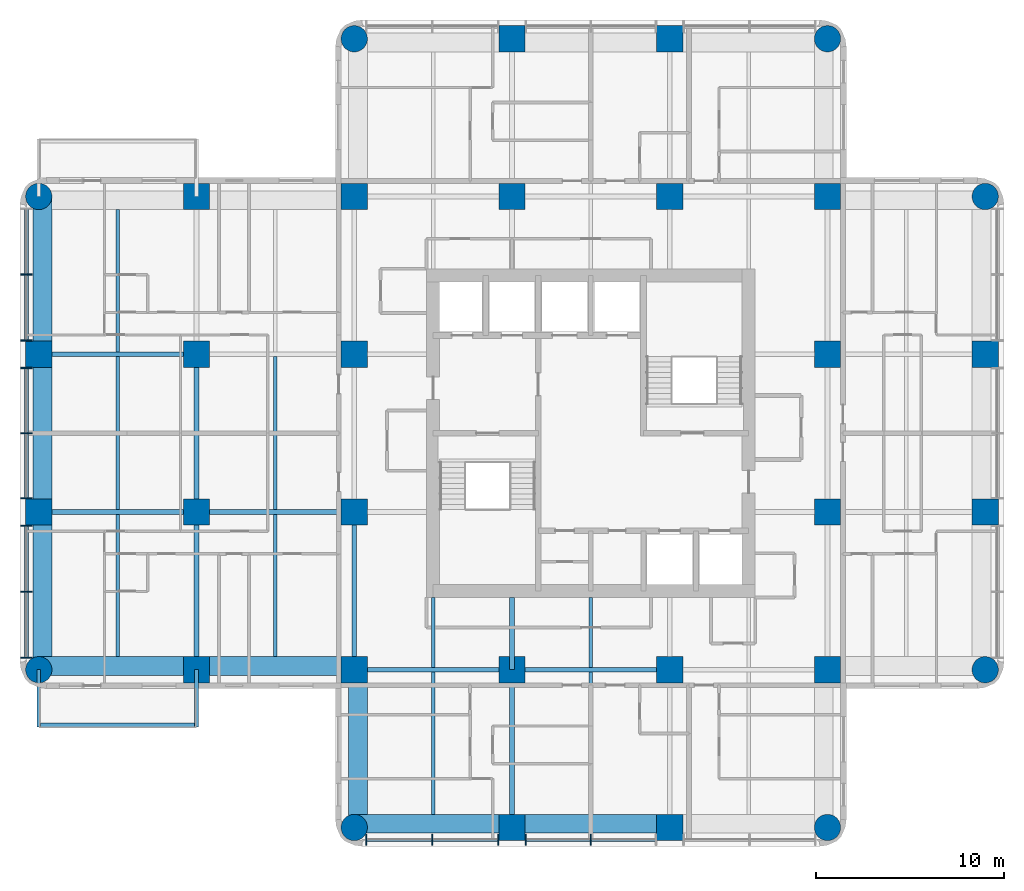
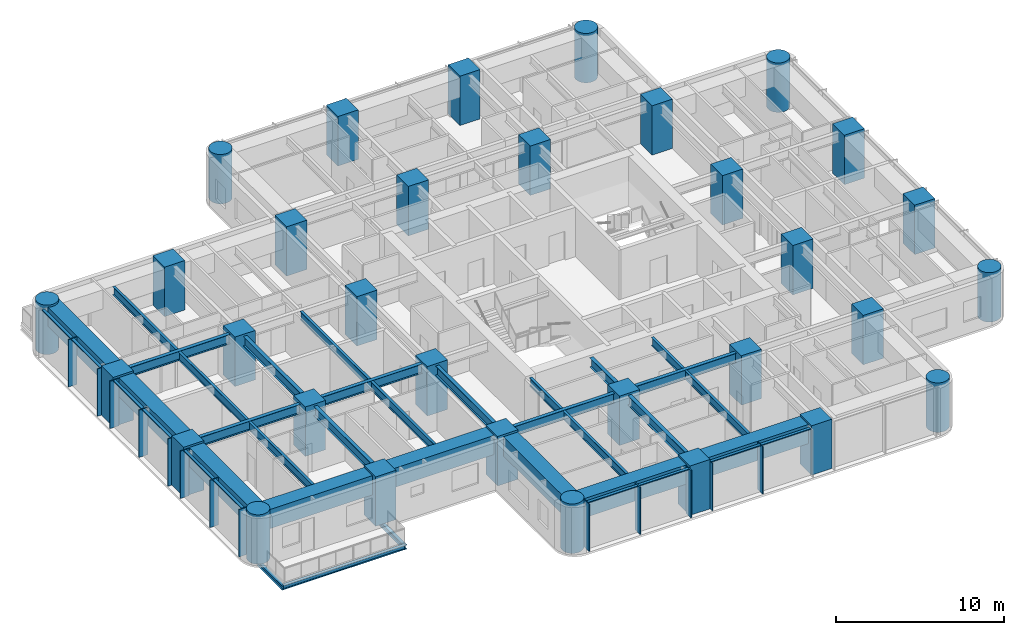
# One storey, part 1 of 11: 32 columns, 30 beams, 23 members, 2 elements without a shape of their own.
"""IFC4 building model written with IfcOpenShell, lengths in metres."""

import ifcopenshell
import ifcopenshell.guid

model = None  # the IFC model being written
_history = None  # IfcOwnerHistory: only IFC2X3 demands one
_inside = {}  # id of a spatial element -> (the spatial element, [elements in it])
_under = {}  # id of a project, library or spatial element -> (it, [spatial elements below it])
_declared = {}  # id of a project -> (the project, [libraries it declares])
_typed = {}  # id of a type object -> (the type object, [elements of that type])
_made_of = {}  # id of a material, layer set ... -> (it, [elements and type objects made of it])


def new_model(schema):
    """Start an empty IFC model of exactly this schema.

    Asked for "IFC4X3", IfcOpenShell would pick the latest addendum, in which some entities
    have other attributes; the version numbers below select the first issue.
    IFC2X3 requires an IfcOwnerHistory on every rooted entity: one is made here for all.
    """
    global model, _history
    if schema == "IFC4X3":
        model = ifcopenshell.file(schema_version=(4, 3, 0, 0))
    else:
        model = ifcopenshell.file(schema=schema)
    _inside.clear()
    _under.clear()
    _declared.clear()
    _typed.clear()
    _made_of.clear()
    _history = None
    if model.schema == "IFC2X3":
        org = make("IfcOrganization", Name="unknown")
        user = make(
            "IfcPersonAndOrganization",
            ThePerson=make("IfcPerson", FamilyName="unknown"),
            TheOrganization=org,
        )
        app = make(
            "IfcApplication",
            ApplicationDeveloper=org,
            Version="unknown",
            ApplicationFullName="unknown",
            ApplicationIdentifier="unknown",
        )
        _history = make(
            "IfcOwnerHistory",
            OwningUser=user,
            OwningApplication=app,
            ChangeAction="ADDED",
            CreationDate=0,
        )
    return model


def make(cls, **values):
    """One entity of the class cls with the attributes given. An attribute that is None is left unset."""
    return model.create_entity(
        cls, **{name: value for name, value in values.items() if value is not None}
    )


def rooted(cls, **values):
    """An entity with a GlobalId (a new one), such as an element, a storey or a relation."""
    return make(cls, GlobalId=ifcopenshell.guid.new(), OwnerHistory=_history, **values)


def si_unit(unit_type, name, prefix=None):
    """IfcSIUnit, for example si_unit("LENGTHUNIT", "METRE", prefix="MILLI")."""
    return make("IfcSIUnit", UnitType=unit_type, Prefix=prefix, Name=name)


def assignment(units):
    """IfcUnitAssignment: the units of a project."""
    return None if units is None else make("IfcUnitAssignment", Units=units)


def point(xyz):
    """IfcCartesianPoint."""
    return None if xyz is None else make("IfcCartesianPoint", Coordinates=xyz)


def direction(xyz):
    """IfcDirection."""
    return None if xyz is None else make("IfcDirection", DirectionRatios=xyz)


def frame(location, z_axis=None, x_axis=None):
    """IfcAxis2Placement3D, a coordinate frame: its origin and axes. An axis left out is left unset."""
    return make(
        "IfcAxis2Placement3D",
        Location=point(location),
        Axis=direction(z_axis),
        RefDirection=direction(x_axis),
    )


def frame_2d(location, x_axis=None):
    """IfcAxis2Placement2D, a coordinate frame in the plane: its origin and x axis."""
    return make(
        "IfcAxis2Placement2D", Location=point(location), RefDirection=direction(x_axis)
    )


def origin():
    """The frame at (0, 0, 0) with its axes left unset."""
    return frame((0.0, 0.0, 0.0))


def origin_2d():
    """The frame at (0, 0) in the plane with its x axis left unset."""
    return frame_2d((0.0, 0.0))


def place(relative_to, where):
    """IfcLocalPlacement: puts the frame where relative to a parent placement (None: the world)."""
    return make(
        "IfcLocalPlacement", PlacementRelTo=relative_to, RelativePlacement=where
    )


def context(
    kind, dimensions, precision=None, world=None, true_north=None, identifier=None
):
    """IfcGeometricRepresentationContext, for example the 3D "Model" context."""
    return make(
        "IfcGeometricRepresentationContext",
        ContextIdentifier=identifier,
        ContextType=kind,
        CoordinateSpaceDimension=dimensions,
        Precision=precision,
        WorldCoordinateSystem=world,
        TrueNorth=true_north,
    )


def subcontext(parent, identifier, kind, view, scale=None):
    """IfcGeometricRepresentationSubContext, for example "Body" below "Model"."""
    return make(
        "IfcGeometricRepresentationSubContext",
        ContextIdentifier=identifier,
        ContextType=kind,
        ParentContext=parent,
        TargetScale=scale,
        TargetView=view,
    )


def project(units=None, contexts=None):
    """IfcProject with its units and contexts."""
    return rooted(
        "IfcProject",
        Name="project",
        RepresentationContexts=contexts,
        UnitsInContext=assignment(units),
    )


def spatial(cls, under=None, at=None, **own):
    """A site, building, storey or space (cls), placed at a placement, below another one or the project."""
    s = rooted(cls, ObjectPlacement=at, **own)
    if under is not None:
        _under.setdefault(under.id(), (under, []))[1].append(s)
    return s


def profile(cls, at=None, kind="AREA", **sizes):
    """A parametric profile (cls). Its sizes go by their IFC names, for example OverallWidth=200.0."""
    return make(cls, ProfileType=kind, Position=at, **sizes)


def rectangle(**sizes):
    """IfcRectangleProfileDef."""
    return profile("IfcRectangleProfileDef", **sizes)


def circle(**sizes):
    """IfcCircleProfileDef."""
    return profile("IfcCircleProfileDef", **sizes)


def i_section(**sizes):
    """IfcIShapeProfileDef."""
    return profile("IfcIShapeProfileDef", **sizes)


def extrude(swept, where, along, depth):
    """IfcExtrudedAreaSolid: the profile swept, set in the frame where, extruded along a direction by depth."""
    return make(
        "IfcExtrudedAreaSolid",
        SweptArea=swept,
        Position=where,
        ExtrudedDirection=direction(along),
        Depth=depth,
    )


def shape(context_of_items, identifier, shape_type, items):
    """IfcShapeRepresentation: the items that make up one representation, for example the "Body"."""
    return make(
        "IfcShapeRepresentation",
        ContextOfItems=context_of_items,
        RepresentationIdentifier=identifier,
        RepresentationType=shape_type,
        Items=items,
    )


def material(Name=None, Category=None):
    """IfcMaterial."""
    return make("IfcMaterial", Name=Name, Category=Category)


def material_profile(
    of_material, cross_section, Name=None, Category=None, Priority=None
):
    """IfcMaterialProfile: a cross section and its material."""
    return make(
        "IfcMaterialProfile",
        Name=Name,
        Material=of_material,
        Profile=cross_section,
        Priority=Priority,
        Category=Category,
    )


def profile_set(profiles, Name=None, composite=None):
    """IfcMaterialProfileSet."""
    return make(
        "IfcMaterialProfileSet",
        Name=Name,
        MaterialProfiles=profiles,
        CompositeProfile=composite,
    )


def made_of(thing, what):
    """Note that an element or type object is made of a material, layer set ...; save() writes the relation."""
    if what is not None:
        _made_of.setdefault(what.id(), (what, []))[1].append(thing)
    return thing


def type_object(cls, material=None, **own):
    """A type object (cls), such as IfcWallType, which elements share."""
    return made_of(rooted(cls, **own), material)


def element(
    cls,
    number,
    at=None,
    inside=None,
    cuts=None,
    type_object=None,
    material=None,
    context=None,
    identifier="Body",
    shape_type=None,
    held_by="IfcProductDefinitionShape",
    body=None,
    shapes=None,
    **own,
):
    """One element of the class cls, such as IfcWall. Its Tag is "e" and its number.

    at: its placement. inside: the storey or other place that contains it. cuts: it is an
    opening in that element (IfcRelVoidsElement). A single representation is given by context,
    identifier, shape_type and body (its items); several are given by shapes. held_by: the class
    of the entity that holds the representations. save() writes the other relations.
    """
    e = rooted(cls, Tag="e%d" % number, ObjectPlacement=at, **own)
    if body is not None:
        shapes = [shape(context, identifier, shape_type, body)]
    if shapes is not None:
        e.Representation = make(held_by, Representations=shapes)
    if inside is not None:
        _inside.setdefault(inside.id(), (inside, []))[1].append(e)
    if cuts is not None:
        rooted(
            "IfcRelVoidsElement", RelatingBuildingElement=cuts, RelatedOpeningElement=e
        )
    if type_object is not None:
        _typed.setdefault(type_object.id(), (type_object, []))[1].append(e)
    return made_of(e, material)


def aggregate(whole, parts):
    """IfcRelAggregates: a whole, such as a stair, and the parts it consists of."""
    return rooted("IfcRelAggregates", RelatingObject=whole, RelatedObjects=parts)


def save(model, path):
    """Write the relations noted so far, then the file.

    IfcRelAggregates (storeys below a building ...), IfcRelContainedInSpatialStructure (elements
    in a storey), IfcRelDefinesByType, IfcRelAssociatesMaterial and IfcRelDeclares: one each for
    every whole, place, type object, material and project.
    """
    for whole, parts in _under.values():
        aggregate(whole, parts)
    for where, things in _inside.values():
        rooted(
            "IfcRelContainedInSpatialStructure",
            RelatedElements=things,
            RelatingStructure=where,
        )
    for kind, things in _typed.values():
        rooted("IfcRelDefinesByType", RelatedObjects=things, RelatingType=kind)
    for what, things in _made_of.values():
        rooted("IfcRelAssociatesMaterial", RelatedObjects=things, RelatingMaterial=what)
    for by, libraries in _declared.values():
        rooted("IfcRelDeclares", RelatingContext=by, RelatedDefinitions=libraries)
    model.write(path)


model = new_model("IFC4")

# Units and contexts
model_context = context("Model", 3, precision=1e-05, world=origin(), true_north=direction((0.0, 1.0)))
body_context = subcontext(model_context, "Body", "Model", "MODEL_VIEW")
ifc_project = project(units=[si_unit("LENGTHUNIT", "METRE"), si_unit("AREAUNIT", "SQUARE_METRE"), si_unit("VOLUMEUNIT", "CUBIC_METRE"), si_unit("PLANEANGLEUNIT", "RADIAN"), si_unit("MASSUNIT", "GRAM", prefix="KILO")], contexts=[model_context])

# Site, building, storey
site_placement = place(None, origin())
site = spatial("IfcSite", under=ifc_project, at=site_placement, CompositionType="ELEMENT")
building_placement = place(site_placement, origin())
building = spatial("IfcBuilding", under=site, at=building_placement, Name="Torre Alcanfor", CompositionType="ELEMENT")
storey_placement = place(building_placement, frame((0.0, 0.0, 208.5)))
storey = spatial("IfcBuildingStorey", under=building, at=storey_placement, Name="L54", CompositionType="ELEMENT", Elevation=208.5)

# Columns
ifc_material_1 = material(Name="Concrete f'c 70 MPa", Category="concrete")
ifc_material_profile_1 = material_profile(ifc_material_1, rectangle(XDim=1.39990234375, YDim=1.39990234375, at=origin_2d()), Name="1400x1400")
ifc_profile_set_1 = profile_set([ifc_material_profile_1], Name="Concrete f'c 70 MPa")
column_type_1 = type_object("IfcColumnType", Name="RC column 1400x1400 f'c70", PredefinedType="COLUMN", material=ifc_profile_set_1)
for number, where, z_axis, x_axis, name in (
    (1, (0.0, 25.199951171875, 0.0), (0.0, 0.0, 1.0), (1.0, 0.0, 0.0), "Column 1/F L54"),
    (2, (0.0, 33.60009765625, 0.0), (0.0, 0.0, 1.0), (1.0, 0.0, 0.0), "Column 1/G L54"),
    (3, (8.39990234375, 16.800048828125, 0.0), (0.0, 0.0, 1.0), (1.0, 0.0, 0.0), "Column 2/E L54"),
    (4, (8.39990234375, 25.199951171875, 0.0), (0.0, 0.0, 1.0), (1.0, 0.0, 0.0), "Column 2/F L54"),
    (5, (8.39990234375, 33.60009765625, 0.0), (0.0, 0.0, 1.0), (1.0, 0.0, 0.0), "Column 2/G L54"),
    (6, (8.39990234375, 42.0, 0.0), (0.0, 0.0, 1.0), (1.0, 0.0, 0.0), "Column 2/H L54"),
    (7, (16.800048828125, 16.800048828125, 0.0), (0.0, 0.0, 1.0), (1.0, 0.0, 0.0), "Column 3/E L54"),
    (8, (16.800048828125, 25.199951171875, 0.0), (0.0, 0.0, 1.0), (1.0, 0.0, 0.0), "Column 3/F L54"),
    (9, (16.800048828125, 33.60009765625, 0.0), (0.0, 0.0, 1.0), (1.0, 0.0, 0.0), "Column 3/G L54"),
    (10, (16.800048828125, 42.0, 0.0), (0.0, 0.0, 1.0), (1.0, 0.0, 0.0), "Column 3/H L54"),
    (11, (25.199951171875, 8.39990234375, 0.0), (0.0, 0.0, 1.0), (1.0, 0.0, 0.0), "Column 4/D L54"),
    (12, (25.199951171875, 16.800048828125, 0.0), (0.0, 0.0, 1.0), (1.0, 0.0, 0.0), "Column 4/E L54"),
    (13, (25.199951171875, 42.0, 0.0), (0.0, 0.0, 1.0), (1.0, 0.0, 0.0), "Column 4/H L54"),
    (14, (25.199951171875, 50.39990234375, 0.0), (0.0, 0.0, 1.0), (1.0, 0.0, 0.0), "Column 4/J L54"),
    (15, (33.60009765625, 8.39990234375, 0.0), (0.0, 0.0, 1.0), (1.0, 0.0, 0.0), "Column 5/D L54"),
    (16, (33.60009765625, 16.800048828125, 0.0), (0.0, 0.0, 1.0), (1.0, 0.0, 0.0), "Column 5/E L54"),
    (17, (33.60009765625, 42.0, 0.0), (0.0, 0.0, 1.0), (1.0, 0.0, 0.0), "Column 5/H L54"),
    (18, (33.60009765625, 50.39990234375, 0.0), (0.0, 0.0, 1.0), (1.0, 0.0, 0.0), "Column 5/J L54"),
    (19, (42.0, 16.800048828125, 0.0), (0.0, 0.0, 1.0), (1.0, 0.0, 0.0), "Column 6/E L54"),
    (20, (42.0, 25.199951171875, 0.0), (0.0, 0.0, 1.0), (1.0, 0.0, 0.0), "Column 6/F L54"),
    (21, (42.0, 33.60009765625, 0.0), (0.0, 0.0, 1.0), (1.0, 0.0, 0.0), "Column 6/G L54"),
    (22, (42.0, 42.0, 0.0), (0.0, 0.0, 1.0), (1.0, 0.0, 0.0), "Column 6/H L54"),
    (23, (50.39990234375, 25.199951171875, 0.0), (0.0, 0.0, 1.0), (1.0, 0.0, 0.0), "Column 7/F L54"),
    (24, (50.39990234375, 33.60009765625, 0.0), (0.0, 0.0, 1.0), (1.0, 0.0, 0.0), "Column 7/G L54"),
):
    element("IfcColumn", number, at=place(storey_placement, frame(where, z_axis=z_axis, x_axis=x_axis)), inside=storey, type_object=column_type_1, Name=name, PredefinedType="COLUMN", context=body_context, shape_type="SweptSolid", body=[
        extrude(rectangle(XDim=1.39990234375, YDim=1.39990234375, at=origin_2d()), origin(), (0.0, 0.0, 1.0), 3.60009765625),
    ])
ifc_material_2 = material(Name="Concrete f'c 70 MPa", Category="concrete")
ifc_material_profile_2 = material_profile(ifc_material_2, circle(Radius=0.699951171875, at=origin_2d()), Name="D1400")
ifc_profile_set_2 = profile_set([ifc_material_profile_2], Name="Concrete f'c 70 MPa")
column_type_2 = type_object("IfcColumnType", Name="RC column D1400 f'c70", PredefinedType="COLUMN", material=ifc_profile_set_2)
for number, where, z_axis, x_axis, name in (
    (25, (0.0, 16.800048828125, 0.0), (0.0, 0.0, 1.0), (1.0, 0.0, 0.0), "Column 1/E L54"),
    (26, (0.0, 42.0, 0.0), (0.0, 0.0, 1.0), (1.0, 0.0, 0.0), "Column 1/H L54"),
    (27, (16.800048828125, 8.39990234375, 0.0), (0.0, 0.0, 1.0), (1.0, 0.0, 0.0), "Column 3/D L54"),
    (28, (16.800048828125, 50.39990234375, 0.0), (0.0, 0.0, 1.0), (1.0, 0.0, 0.0), "Column 3/J L54"),
    (29, (42.0, 8.39990234375, 0.0), (0.0, 0.0, 1.0), (1.0, 0.0, 0.0), "Column 6/D L54"),
    (30, (42.0, 50.39990234375, 0.0), (0.0, 0.0, 1.0), (1.0, 0.0, 0.0), "Column 6/J L54"),
    (31, (50.39990234375, 16.800048828125, 0.0), (0.0, 0.0, 1.0), (1.0, 0.0, 0.0), "Column 7/E L54"),
    (32, (50.39990234375, 42.0, 0.0), (0.0, 0.0, 1.0), (1.0, 0.0, 0.0), "Column 7/H L54"),
):
    element("IfcColumn", number, at=place(storey_placement, frame(where, z_axis=z_axis, x_axis=x_axis)), inside=storey, type_object=column_type_2, Name=name, PredefinedType="COLUMN", context=body_context, shape_type="SweptSolid", body=[
        extrude(circle(Radius=0.699951171875, at=origin_2d()), origin(), (0.0, 0.0, 1.0), 3.60009765625),
    ])

# Beams
ifc_material_3 = material(Name="Steel ASTM A992 Grade 50", Category="steel")
ifc_material_profile_3 = material_profile(ifc_material_3, i_section(OverallWidth=0.205322265625, OverallDepth=0.309814453125, WebThickness=0.00927734375, FlangeThickness=0.016357421875, at=origin_2d()), Name="W12x50")
ifc_profile_set_3 = profile_set([ifc_material_profile_3], Name="Steel ASTM A992 Grade 50")
beam_type_1 = type_object("IfcBeamType", Name="Balcony cantilever beam W12x50", PredefinedType="BEAM", material=ifc_profile_set_3)
for number, where, z_axis, x_axis, name in (
    (33, (8.39990234375, 16.800048828125, -0.35498046875), (0.0, -1.0, 0.0), (1.0, 0.0, 0.0), "Balcony cantilever beam L54-W1 1"),
    (34, (0.0, 16.800048828125, -0.35498046875), (0.0, -1.0, 0.0), (1.0, 0.0, 0.0), "Balcony cantilever beam L54-W1 2"),
):
    element("IfcBeam", number, at=place(storey_placement, frame(where, z_axis=z_axis, x_axis=x_axis)), inside=storey, type_object=beam_type_1, Name=name, PredefinedType="BEAM", context=body_context, shape_type="SweptSolid", body=[
        extrude(i_section(OverallWidth=0.205322265625, OverallDepth=0.309814453125, WebThickness=0.00927734375, FlangeThickness=0.016357421875, at=origin_2d()), origin(), (0.0, 0.0, 1.0), 3.050048828125),
    ])
ifc_material_4 = material(Name="Steel ASTM A992 Grade 50", Category="steel")
ifc_material_profile_4 = material_profile(ifc_material_4, i_section(OverallWidth=0.203369140625, OverallDepth=0.30224609375, WebThickness=0.007568359375, FlangeThickness=0.01318359375, at=origin_2d()), Name="W12x40")
ifc_profile_set_4 = profile_set([ifc_material_profile_4], Name="Steel ASTM A992 Grade 50")
beam_type_2 = type_object("IfcBeamType", Name="Balcony edge trimmer W12x40", PredefinedType="BEAM", material=ifc_profile_set_4)
beam_1_placement = place(storey_placement, frame((8.39990234375, 13.851806640625, -0.35107421875), z_axis=(-1.0, 0.0, 0.0), x_axis=(0.0, -1.0, 0.0)))
element("IfcBeam", 35, at=beam_1_placement, inside=storey, type_object=beam_type_2, Name="Balcony edge trimmer L54-W1", PredefinedType="BEAM", context=body_context, shape_type="SweptSolid", body=[
    extrude(i_section(OverallWidth=0.203369140625, OverallDepth=0.30224609375, WebThickness=0.007568359375, FlangeThickness=0.01318359375, at=origin_2d()), origin(), (0.0, 0.0, 1.0), 8.39990234375),
])

# Curtain wall, members
ifc_material_5 = material(Name="Aluminium and glass", Category="aluminium")
curtain_wall_type = type_object("IfcCurtainWallType", Name="CW-A unitised apartment glazing with vertical FIN", PredefinedType="NOTDEFINED", material=ifc_material_5)
curtain_wall_1_placement = place(storey_placement, origin())
curtain_wall_1 = element("IfcCurtainWall", 36, at=curtain_wall_1_placement, inside=storey, type_object=curtain_wall_type, Name="Curtain wall CW-A L54 2", PredefinedType="NOTDEFINED")
ifc_material_6 = material(Name="Bronze anodised aluminium", Category="aluminium")
ifc_material_profile_5 = material_profile(ifc_material_6, rectangle(XDim=0.60009765625, YDim=0.06494140625, at=origin_2d()), Name="CW-A mullion 65x600")
ifc_profile_set_5 = profile_set([ifc_material_profile_5], Name="Bronze anodised aluminium")
member_type_1 = type_object("IfcMemberType", Name="CW-A mullion with vertical FIN 65x600", PredefinedType="MULLION", material=ifc_profile_set_5)
member_1_placement = place(storey_placement, frame((-0.64990234375, 37.846435546875, 0.0), z_axis=(0.0, 0.0, 1.0), x_axis=(1.0, 0.0, 0.0)))
member_1 = element("IfcMember", 37, at=member_1_placement, type_object=member_type_1, Name="CW-A mullion 1.2", PredefinedType="MULLION", context=body_context, shape_type="SweptSolid", body=[
    extrude(rectangle(XDim=0.60009765625, YDim=0.06494140625, at=origin_2d()), origin(), (0.0, 0.0, 1.0), 3.449951171875),
])
member_2_placement = place(storey_placement, frame((-0.64990234375, 34.33740234375, 0.0), z_axis=(0.0, 0.0, 1.0), x_axis=(1.0, 0.0, 0.0)))
member_2 = element("IfcMember", 38, at=member_2_placement, type_object=member_type_1, Name="CW-A mullion 1.3", PredefinedType="MULLION", context=body_context, shape_type="SweptSolid", body=[
    extrude(rectangle(XDim=0.60009765625, YDim=0.06494140625, at=origin_2d()), origin(), (0.0, 0.0, 1.0), 3.449951171875),
])
member_3_placement = place(storey_placement, frame((-0.64990234375, 32.862548828125, 0.0), z_axis=(0.0, 0.0, 1.0), x_axis=(1.0, 0.0, 0.0)))
member_3 = element("IfcMember", 39, at=member_3_placement, type_object=member_type_1, Name="CW-A mullion 2.1", PredefinedType="MULLION", context=body_context, shape_type="SweptSolid", body=[
    extrude(rectangle(XDim=0.60009765625, YDim=0.06494140625, at=origin_2d()), origin(), (0.0, 0.0, 1.0), 3.449951171875),
])
member_4_placement = place(storey_placement, frame((-0.64990234375, 29.39990234375, 0.0), z_axis=(0.0, 0.0, 1.0), x_axis=(1.0, 0.0, 0.0)))
member_4 = element("IfcMember", 40, at=member_4_placement, type_object=member_type_1, Name="CW-A mullion 2.2", PredefinedType="MULLION", context=body_context, shape_type="SweptSolid", body=[
    extrude(rectangle(XDim=0.60009765625, YDim=0.06494140625, at=origin_2d()), origin(), (0.0, 0.0, 1.0), 3.449951171875),
])
member_5_placement = place(storey_placement, frame((-0.64990234375, 25.9375, 0.0), z_axis=(0.0, 0.0, 1.0), x_axis=(1.0, 0.0, 0.0)))
member_5 = element("IfcMember", 41, at=member_5_placement, type_object=member_type_1, Name="CW-A mullion 2.3", PredefinedType="MULLION", context=body_context, shape_type="SweptSolid", body=[
    extrude(rectangle(XDim=0.60009765625, YDim=0.06494140625, at=origin_2d()), origin(), (0.0, 0.0, 1.0), 3.449951171875),
])
member_6_placement = place(storey_placement, frame((-0.64990234375, 24.46240234375, 0.0), z_axis=(0.0, 0.0, 1.0), x_axis=(1.0, 0.0, 0.0)))
member_6 = element("IfcMember", 42, at=member_6_placement, type_object=member_type_1, Name="CW-A mullion 3.1", PredefinedType="MULLION", context=body_context, shape_type="SweptSolid", body=[
    extrude(rectangle(XDim=0.60009765625, YDim=0.06494140625, at=origin_2d()), origin(), (0.0, 0.0, 1.0), 3.449951171875),
])
member_7_placement = place(storey_placement, frame((-0.64990234375, 20.95361328125, 0.0), z_axis=(0.0, 0.0, 1.0), x_axis=(1.0, 0.0, 0.0)))
member_7 = element("IfcMember", 43, at=member_7_placement, type_object=member_type_1, Name="CW-A mullion 3.2", PredefinedType="MULLION", context=body_context, shape_type="SweptSolid", body=[
    extrude(rectangle(XDim=0.60009765625, YDim=0.06494140625, at=origin_2d()), origin(), (0.0, 0.0, 1.0), 3.449951171875),
])
member_8_placement = place(storey_placement, frame((-0.64990234375, 17.444580078125, 0.0), z_axis=(0.0, 0.0, 1.0), x_axis=(1.0, 0.0, 0.0)))
member_8 = element("IfcMember", 44, at=member_8_placement, type_object=member_type_1, Name="CW-A mullion 3.3", PredefinedType="MULLION", context=body_context, shape_type="SweptSolid", body=[
    extrude(rectangle(XDim=0.60009765625, YDim=0.06494140625, at=origin_2d()), origin(), (0.0, 0.0, 1.0), 3.449951171875),
])

curtain_wall_2_placement = place(storey_placement, origin())
curtain_wall_2 = element("IfcCurtainWall", 45, at=curtain_wall_2_placement, inside=storey, type_object=curtain_wall_type, Name="Curtain wall CW-A L54 5", PredefinedType="NOTDEFINED")
member_9_placement = place(storey_placement, frame((17.444580078125, 7.75, 0.0), z_axis=(0.0, 0.0, 1.0), x_axis=(0.0, 1.0, 0.0)))
member_9 = element("IfcMember", 46, at=member_9_placement, type_object=member_type_1, Name="CW-A mullion 1.1", PredefinedType="MULLION", context=body_context, shape_type="SweptSolid", body=[
    extrude(rectangle(XDim=0.60009765625, YDim=0.06494140625, at=origin_2d()), origin(), (0.0, 0.0, 1.0), 3.449951171875),
])
member_10_placement = place(storey_placement, frame((20.95361328125, 7.75, 0.0), z_axis=(0.0, 0.0, 1.0), x_axis=(0.0, 1.0, 0.0)))
member_10 = element("IfcMember", 47, at=member_10_placement, type_object=member_type_1, Name="CW-A mullion 1.2", PredefinedType="MULLION", context=body_context, shape_type="SweptSolid", body=[
    extrude(rectangle(XDim=0.60009765625, YDim=0.06494140625, at=origin_2d()), origin(), (0.0, 0.0, 1.0), 3.449951171875),
])
member_11_placement = place(storey_placement, frame((24.46240234375, 7.75, 0.0), z_axis=(0.0, 0.0, 1.0), x_axis=(0.0, 1.0, 0.0)))
member_11 = element("IfcMember", 48, at=member_11_placement, type_object=member_type_1, Name="CW-A mullion 1.3", PredefinedType="MULLION", context=body_context, shape_type="SweptSolid", body=[
    extrude(rectangle(XDim=0.60009765625, YDim=0.06494140625, at=origin_2d()), origin(), (0.0, 0.0, 1.0), 3.449951171875),
])
member_12_placement = place(storey_placement, frame((25.9375, 7.75, 0.0), z_axis=(0.0, 0.0, 1.0), x_axis=(0.0, 1.0, 0.0)))
member_12 = element("IfcMember", 49, at=member_12_placement, type_object=member_type_1, Name="CW-A mullion 2.1", PredefinedType="MULLION", context=body_context, shape_type="SweptSolid", body=[
    extrude(rectangle(XDim=0.60009765625, YDim=0.06494140625, at=origin_2d()), origin(), (0.0, 0.0, 1.0), 3.449951171875),
])
member_13_placement = place(storey_placement, frame((29.39990234375, 7.75, 0.0), z_axis=(0.0, 0.0, 1.0), x_axis=(0.0, 1.0, 0.0)))
member_13 = element("IfcMember", 50, at=member_13_placement, type_object=member_type_1, Name="CW-A mullion 2.2", PredefinedType="MULLION", context=body_context, shape_type="SweptSolid", body=[
    extrude(rectangle(XDim=0.60009765625, YDim=0.06494140625, at=origin_2d()), origin(), (0.0, 0.0, 1.0), 3.449951171875),
])

# Member
ifc_material_7 = material(Name="Extruded aluminium", Category="aluminium")
ifc_material_profile_6 = material_profile(ifc_material_7, rectangle(XDim=0.199951171875, YDim=0.06494140625, at=origin_2d()), Name="CW-A transom 200x65")
ifc_profile_set_6 = profile_set([ifc_material_profile_6], Name="Extruded aluminium")
member_type_2 = type_object("IfcMemberType", Name="CW-A transom 65x200", PredefinedType="USERDEFINED", material=ifc_profile_set_6)
member_14_placement = place(storey_placement, frame((-0.64990234375, 41.322998046875, 3.41748046875), z_axis=(0.0, -1.0, 0.0), x_axis=(1.0, 0.0, 0.0)))
member_14 = element("IfcMember", 51, at=member_14_placement, type_object=member_type_2, Name="CW-A transom 1.1.2", ObjectType="TRANSOM", PredefinedType="USERDEFINED", context=body_context, shape_type="SweptSolid", body=[
    extrude(rectangle(XDim=0.199951171875, YDim=0.06494140625, at=origin_2d()), origin(), (0.0, 0.0, 1.0), 3.444091796875),
])

member_15_placement = place(storey_placement, frame((-0.64990234375, 37.81396484375, 3.41748046875), z_axis=(0.0, -1.0, 0.0), x_axis=(1.0, 0.0, 0.0)))
member_15 = element("IfcMember", 52, at=member_15_placement, type_object=member_type_2, Name="CW-A transom 1.2.2", ObjectType="TRANSOM", PredefinedType="USERDEFINED", context=body_context, shape_type="SweptSolid", body=[
    extrude(rectangle(XDim=0.199951171875, YDim=0.06494140625, at=origin_2d()), origin(), (0.0, 0.0, 1.0), 3.44384765625),
])

member_16_placement = place(storey_placement, frame((-0.64990234375, 32.830078125, 3.41748046875), z_axis=(0.0, -1.0, 0.0), x_axis=(1.0, 0.0, 0.0)))
member_16 = element("IfcMember", 53, at=member_16_placement, type_object=member_type_2, Name="CW-A transom 2.1.2", ObjectType="TRANSOM", PredefinedType="USERDEFINED", context=body_context, shape_type="SweptSolid", body=[
    extrude(rectangle(XDim=0.199951171875, YDim=0.06494140625, at=origin_2d()), origin(), (0.0, 0.0, 1.0), 3.3974609375),
])

member_17_placement = place(storey_placement, frame((-0.64990234375, 29.367431640625, 3.41748046875), z_axis=(0.0, -1.0, 0.0), x_axis=(1.0, 0.0, 0.0)))
member_17 = element("IfcMember", 54, at=member_17_placement, type_object=member_type_2, Name="CW-A transom 2.2.2", ObjectType="TRANSOM", PredefinedType="USERDEFINED", context=body_context, shape_type="SweptSolid", body=[
    extrude(rectangle(XDim=0.199951171875, YDim=0.06494140625, at=origin_2d()), origin(), (0.0, 0.0, 1.0), 3.3974609375),
])

member_18_placement = place(storey_placement, frame((-0.64990234375, 24.429931640625, 3.41748046875), z_axis=(0.0, -1.0, 0.0), x_axis=(1.0, 0.0, 0.0)))
member_18 = element("IfcMember", 55, at=member_18_placement, type_object=member_type_2, Name="CW-A transom 3.1.2", ObjectType="TRANSOM", PredefinedType="USERDEFINED", context=body_context, shape_type="SweptSolid", body=[
    extrude(rectangle(XDim=0.199951171875, YDim=0.06494140625, at=origin_2d()), origin(), (0.0, 0.0, 1.0), 3.44384765625),
])

member_19_placement = place(storey_placement, frame((-0.64990234375, 20.9208984375, 3.41748046875), z_axis=(0.0, -1.0, 0.0), x_axis=(1.0, 0.0, 0.0)))
member_19 = element("IfcMember", 56, at=member_19_placement, type_object=member_type_2, Name="CW-A transom 3.2.2", ObjectType="TRANSOM", PredefinedType="USERDEFINED", context=body_context, shape_type="SweptSolid", body=[
    extrude(rectangle(XDim=0.199951171875, YDim=0.06494140625, at=origin_2d()), origin(), (0.0, 0.0, 1.0), 3.44384765625),
])

aggregate(curtain_wall_1, [member_1, member_2, member_14, member_15, member_3, member_4, member_5, member_16, member_17, member_6, member_7, member_8, member_18, member_19])

member_20_placement = place(storey_placement, frame((17.47705078125, 7.75, 3.41748046875), z_axis=(1.0, 0.0, 0.0), x_axis=(0.0, 1.0, 0.0)))
member_20 = element("IfcMember", 57, at=member_20_placement, type_object=member_type_2, Name="CW-A transom 1.1.2", ObjectType="TRANSOM", PredefinedType="USERDEFINED", context=body_context, shape_type="SweptSolid", body=[
    extrude(rectangle(XDim=0.199951171875, YDim=0.06494140625, at=origin_2d()), origin(), (0.0, 0.0, 1.0), 3.44384765625),
])

member_21_placement = place(storey_placement, frame((20.986083984375, 7.75, 3.41748046875), z_axis=(1.0, 0.0, 0.0), x_axis=(0.0, 1.0, 0.0)))
member_21 = element("IfcMember", 58, at=member_21_placement, type_object=member_type_2, Name="CW-A transom 1.2.2", ObjectType="TRANSOM", PredefinedType="USERDEFINED", context=body_context, shape_type="SweptSolid", body=[
    extrude(rectangle(XDim=0.199951171875, YDim=0.06494140625, at=origin_2d()), origin(), (0.0, 0.0, 1.0), 3.44384765625),
])

member_22_placement = place(storey_placement, frame((25.969970703125, 7.75, 3.41748046875), z_axis=(1.0, 0.0, 0.0), x_axis=(0.0, 1.0, 0.0)))
member_22 = element("IfcMember", 59, at=member_22_placement, type_object=member_type_2, Name="CW-A transom 2.1.2", ObjectType="TRANSOM", PredefinedType="USERDEFINED", context=body_context, shape_type="SweptSolid", body=[
    extrude(rectangle(XDim=0.199951171875, YDim=0.06494140625, at=origin_2d()), origin(), (0.0, 0.0, 1.0), 3.3974609375),
])

member_23_placement = place(storey_placement, frame((29.4326171875, 7.75, 3.41748046875), z_axis=(1.0, 0.0, 0.0), x_axis=(0.0, 1.0, 0.0)))
member_23 = element("IfcMember", 60, at=member_23_placement, type_object=member_type_2, Name="CW-A transom 2.2.2", ObjectType="TRANSOM", PredefinedType="USERDEFINED", context=body_context, shape_type="SweptSolid", body=[
    extrude(rectangle(XDim=0.199951171875, YDim=0.06494140625, at=origin_2d()), origin(), (0.0, 0.0, 1.0), 3.3974609375),
])

aggregate(curtain_wall_2, [member_9, member_10, member_11, member_20, member_21, member_12, member_13, member_22, member_23])

# Beams
ifc_material_8 = material(Name="Steel ASTM A992 Grade 50", Category="steel")
ifc_material_profile_7 = material_profile(ifc_material_8, i_section(OverallWidth=0.25390625, OverallDepth=0.683349609375, WebThickness=0.012451171875, FlangeThickness=0.01904296875, at=origin_2d()), Name="W27x94")
ifc_profile_set_7 = profile_set([ifc_material_profile_7], Name="Steel ASTM A992 Grade 50")
beam_type_3 = type_object("IfcBeamType", Name="Girder W27x94", PredefinedType="BEAM", material=ifc_profile_set_7)
beam_2_placement = place(storey_placement, frame((16.800048828125, 16.800048828125, 3.1083984375), z_axis=(1.0, 0.0, 0.0), x_axis=(0.0, 1.0, 0.0)))
element("IfcBeam", 61, at=beam_2_placement, inside=storey, type_object=beam_type_3, Name="Beam 3E-4E under L55", PredefinedType="BEAM", context=body_context, shape_type="SweptSolid", body=[
    extrude(i_section(OverallWidth=0.25390625, OverallDepth=0.683349609375, WebThickness=0.012451171875, FlangeThickness=0.01904296875, at=origin_2d()), origin(), (0.0, 0.0, 1.0), 8.39990234375),
])
beam_3_placement = place(storey_placement, frame((25.199951171875, 16.800048828125, 3.1083984375), z_axis=(1.0, 0.0, 0.0), x_axis=(0.0, 1.0, 0.0)))
element("IfcBeam", 62, at=beam_3_placement, inside=storey, type_object=beam_type_3, Name="Beam 4E-5E under L55", PredefinedType="BEAM", context=body_context, shape_type="SweptSolid", body=[
    extrude(i_section(OverallWidth=0.25390625, OverallDepth=0.683349609375, WebThickness=0.012451171875, FlangeThickness=0.01904296875, at=origin_2d()), origin(), (0.0, 0.0, 1.0), 8.400146484375),
])
beam_4_placement = place(storey_placement, frame((0.0, 25.199951171875, 3.1083984375), z_axis=(1.0, 0.0, 0.0), x_axis=(0.0, 1.0, 0.0)))
element("IfcBeam", 63, at=beam_4_placement, inside=storey, type_object=beam_type_3, Name="Beam 1F-2F under L55", PredefinedType="BEAM", context=body_context, shape_type="SweptSolid", body=[
    extrude(i_section(OverallWidth=0.25390625, OverallDepth=0.683349609375, WebThickness=0.012451171875, FlangeThickness=0.01904296875, at=origin_2d()), origin(), (0.0, 0.0, 1.0), 8.39990234375),
])
beam_5_placement = place(storey_placement, frame((8.39990234375, 25.199951171875, 3.1083984375), z_axis=(1.0, 0.0, 0.0), x_axis=(0.0, 1.0, 0.0)))
element("IfcBeam", 64, at=beam_5_placement, inside=storey, type_object=beam_type_3, Name="Beam 2F-3F under L55", PredefinedType="BEAM", context=body_context, shape_type="SweptSolid", body=[
    extrude(i_section(OverallWidth=0.25390625, OverallDepth=0.683349609375, WebThickness=0.012451171875, FlangeThickness=0.01904296875, at=origin_2d()), origin(), (0.0, 0.0, 1.0), 8.400146484375),
])
for number, where, z_axis, x_axis, name in (
    (65, (0.0, 33.60009765625, 3.1083984375), (1.0, 0.0, 0.0), (0.0, 1.0, 0.0), "Beam 1G-2G under L55"),
    (66, (8.39990234375, 16.800048828125, 3.1083984375), (0.0, 1.0, 0.0), (-1.0, 0.0, 0.0), "Beam 2E-2F under L55"),
):
    element("IfcBeam", number, at=place(storey_placement, frame(where, z_axis=z_axis, x_axis=x_axis)), inside=storey, type_object=beam_type_3, Name=name, PredefinedType="BEAM", context=body_context, shape_type="SweptSolid", body=[
        extrude(i_section(OverallWidth=0.25390625, OverallDepth=0.683349609375, WebThickness=0.012451171875, FlangeThickness=0.01904296875, at=origin_2d()), origin(), (0.0, 0.0, 1.0), 8.39990234375),
    ])
beam_6_placement = place(storey_placement, frame((8.39990234375, 25.199951171875, 3.1083984375), z_axis=(0.0, 1.0, 0.0), x_axis=(-1.0, 0.0, 0.0)))
element("IfcBeam", 67, at=beam_6_placement, inside=storey, type_object=beam_type_3, Name="Beam 2F-2G under L55", PredefinedType="BEAM", context=body_context, shape_type="SweptSolid", body=[
    extrude(i_section(OverallWidth=0.25390625, OverallDepth=0.683349609375, WebThickness=0.012451171875, FlangeThickness=0.01904296875, at=origin_2d()), origin(), (0.0, 0.0, 1.0), 8.400146484375),
])
beam_7_placement = place(storey_placement, frame((16.800048828125, 16.800048828125, 3.1083984375), z_axis=(0.0, 1.0, 0.0), x_axis=(-1.0, 0.0, 0.0)))
element("IfcBeam", 68, at=beam_7_placement, inside=storey, type_object=beam_type_3, Name="Beam 3E-3F under L55", PredefinedType="BEAM", context=body_context, shape_type="SweptSolid", body=[
    extrude(i_section(OverallWidth=0.25390625, OverallDepth=0.683349609375, WebThickness=0.012451171875, FlangeThickness=0.01904296875, at=origin_2d()), origin(), (0.0, 0.0, 1.0), 8.39990234375),
])
beam_8_placement = place(storey_placement, frame((25.199951171875, 8.39990234375, 3.1083984375), z_axis=(0.0, 1.0, 0.0), x_axis=(-1.0, 0.0, 0.0)))
element("IfcBeam", 69, at=beam_8_placement, inside=storey, type_object=beam_type_3, Name="Beam 4D-4E under L55", PredefinedType="BEAM", context=body_context, shape_type="SweptSolid", body=[
    extrude(i_section(OverallWidth=0.25390625, OverallDepth=0.683349609375, WebThickness=0.012451171875, FlangeThickness=0.01904296875, at=origin_2d()), origin(), (0.0, 0.0, 1.0), 8.400146484375),
])
ifc_material_9 = material(Name="Steel ASTM A992 Grade 50", Category="steel")
ifc_material_profile_8 = material_profile(ifc_material_9, i_section(OverallWidth=0.25390625, OverallDepth=0.683349609375, WebThickness=0.012451171875, FlangeThickness=0.01904296875, at=origin_2d()), Name="W27x94")
ifc_profile_set_8 = profile_set([ifc_material_profile_8], Name="Steel ASTM A992 Grade 50")
beam_type_4 = type_object("IfcBeamType", Name="Girder, part bay W27x94", PredefinedType="BEAM", material=ifc_profile_set_8)
beam_9_placement = place(storey_placement, frame((25.199951171875, 16.800048828125, 3.1083984375), z_axis=(0.0, 1.0, 0.0), x_axis=(-1.0, 0.0, 0.0)))
element("IfcBeam", 70, at=beam_9_placement, inside=storey, type_object=beam_type_4, Name="Beam 4E-420_65 under L55", PredefinedType="BEAM", context=body_context, shape_type="SweptSolid", body=[
    extrude(i_section(OverallWidth=0.25390625, OverallDepth=0.683349609375, WebThickness=0.012451171875, FlangeThickness=0.01904296875, at=origin_2d()), origin(), (0.0, 0.0, 1.0), 3.849853515625),
])
ifc_material_10 = material(Name="Concrete f'c 70 MPa", Category="concrete")
ifc_material_profile_9 = material_profile(ifc_material_10, rectangle(XDim=1.0, YDim=1.39990234375, at=origin_2d()), Name="1000x1400")
ifc_profile_set_9 = profile_set([ifc_material_profile_9], Name="Concrete f'c 70 MPa")
beam_type_5 = type_object("IfcBeamType", Name="RC perimeter beam 1000x1400", PredefinedType="BEAM", material=ifc_profile_set_9)
beam_10_placement = place(storey_placement, frame((16.800048828125, 8.60009765625, 2.75), z_axis=(1.0, 0.0, 0.0), x_axis=(0.0, 1.0, 0.0)))
element("IfcBeam", 71, at=beam_10_placement, inside=storey, type_object=beam_type_5, Name="Beam 3D-4D under L55", PredefinedType="BEAM", context=body_context, shape_type="SweptSolid", body=[
    extrude(rectangle(XDim=1.0, YDim=1.39990234375, at=origin_2d()), origin(), (0.0, 0.0, 1.0), 8.27294921875),
])
beam_11_placement = place(storey_placement, frame((25.326904296875, 8.60009765625, 2.75), z_axis=(1.0, 0.0, 0.0), x_axis=(0.0, 1.0, 0.0)))
element("IfcBeam", 72, at=beam_11_placement, inside=storey, type_object=beam_type_5, Name="Beam 4D-5D under L55", PredefinedType="BEAM", context=body_context, shape_type="SweptSolid", body=[
    extrude(rectangle(XDim=1.0, YDim=1.39990234375, at=origin_2d()), origin(), (0.0, 0.0, 1.0), 8.14599609375),
])
beam_12_placement = place(storey_placement, frame((0.0, 17.0, 2.75), z_axis=(1.0, 0.0, 0.0), x_axis=(0.0, 1.0, 0.0)))
element("IfcBeam", 73, at=beam_12_placement, inside=storey, type_object=beam_type_5, Name="Beam 1E-2E under L55", PredefinedType="BEAM", context=body_context, shape_type="SweptSolid", body=[
    extrude(rectangle(XDim=1.0, YDim=1.39990234375, at=origin_2d()), origin(), (0.0, 0.0, 1.0), 8.27294921875),
])
beam_13_placement = place(storey_placement, frame((8.527099609375, 17.0, 2.75), z_axis=(1.0, 0.0, 0.0), x_axis=(0.0, 1.0, 0.0)))
element("IfcBeam", 74, at=beam_13_placement, inside=storey, type_object=beam_type_5, Name="Beam 2E-3E under L55", PredefinedType="BEAM", context=body_context, shape_type="SweptSolid", body=[
    extrude(rectangle(XDim=1.0, YDim=1.39990234375, at=origin_2d()), origin(), (0.0, 0.0, 1.0), 8.14599609375),
])
beam_14_placement = place(storey_placement, frame((0.199951171875, 16.800048828125, 2.75), z_axis=(0.0, 1.0, 0.0), x_axis=(-1.0, 0.0, 0.0)))
element("IfcBeam", 75, at=beam_14_placement, inside=storey, type_object=beam_type_5, Name="Beam 1E-1F under L55", PredefinedType="BEAM", context=body_context, shape_type="SweptSolid", body=[
    extrude(rectangle(XDim=1.0, YDim=1.39990234375, at=origin_2d()), origin(), (0.0, 0.0, 1.0), 8.27294921875),
])
beam_15_placement = place(storey_placement, frame((0.199951171875, 25.326904296875, 2.75), z_axis=(0.0, 1.0, 0.0), x_axis=(-1.0, 0.0, 0.0)))
element("IfcBeam", 76, at=beam_15_placement, inside=storey, type_object=beam_type_5, Name="Beam 1F-1G under L55", PredefinedType="BEAM", context=body_context, shape_type="SweptSolid", body=[
    extrude(rectangle(XDim=1.0, YDim=1.39990234375, at=origin_2d()), origin(), (0.0, 0.0, 1.0), 8.14599609375),
])
beam_16_placement = place(storey_placement, frame((0.199951171875, 33.72705078125, 2.75), z_axis=(0.0, 1.0, 0.0), x_axis=(-1.0, 0.0, 0.0)))
element("IfcBeam", 77, at=beam_16_placement, inside=storey, type_object=beam_type_5, Name="Beam 1G-1H under L55", PredefinedType="BEAM", context=body_context, shape_type="SweptSolid", body=[
    extrude(rectangle(XDim=1.0, YDim=1.39990234375, at=origin_2d()), origin(), (0.0, 0.0, 1.0), 8.27294921875),
])
beam_17_placement = place(storey_placement, frame((17.0, 8.39990234375, 2.75), z_axis=(0.0, 1.0, 0.0), x_axis=(-1.0, 0.0, 0.0)))
element("IfcBeam", 78, at=beam_17_placement, inside=storey, type_object=beam_type_5, Name="Beam 3D-3E under L55", PredefinedType="BEAM", context=body_context, shape_type="SweptSolid", body=[
    extrude(rectangle(XDim=1.0, YDim=1.39990234375, at=origin_2d()), origin(), (0.0, 0.0, 1.0), 8.273193359375),
])
ifc_material_11 = material(Name="Steel ASTM A992 Grade 50", Category="steel")
ifc_material_profile_10 = material_profile(ifc_material_11, i_section(OverallWidth=0.1787109375, OverallDepth=0.60205078125, WebThickness=0.010986328125, FlangeThickness=0.014892578125, at=origin_2d()), Name="W24x62")
ifc_profile_set_10 = profile_set([ifc_material_profile_10], Name="Steel ASTM A992 Grade 50")
beam_type_6 = type_object("IfcBeamType", Name="Secondary beam W24x62", PredefinedType="BEAM", material=ifc_profile_set_10)
beam_18_placement = place(storey_placement, frame((4.199951171875, 17.5, 3.14892578125), z_axis=(0.0, 1.0, 0.0), x_axis=(-1.0, 0.0, 0.0)))
element("IfcBeam", 79, at=beam_18_placement, inside=storey, type_object=beam_type_6, Name="Beam 4_2E-4_2F under L55", PredefinedType="BEAM", context=body_context, shape_type="SweptSolid", body=[
    extrude(i_section(OverallWidth=0.1787109375, OverallDepth=0.60205078125, WebThickness=0.010986328125, FlangeThickness=0.014892578125, at=origin_2d()), origin(), (0.0, 0.0, 1.0), 7.572998046875),
])
beam_19_placement = place(storey_placement, frame((4.199951171875, 25.326904296875, 3.14892578125), z_axis=(0.0, 1.0, 0.0), x_axis=(-1.0, 0.0, 0.0)))
element("IfcBeam", 80, at=beam_19_placement, inside=storey, type_object=beam_type_6, Name="Beam 4_2F-4_2G under L55", PredefinedType="BEAM", context=body_context, shape_type="SweptSolid", body=[
    extrude(i_section(OverallWidth=0.1787109375, OverallDepth=0.60205078125, WebThickness=0.010986328125, FlangeThickness=0.014892578125, at=origin_2d()), origin(), (0.0, 0.0, 1.0), 8.14599609375),
])
for number, where, z_axis, x_axis, name in (
    (81, (4.199951171875, 33.72705078125, 3.14892578125), (0.0, 1.0, 0.0), (-1.0, 0.0, 0.0), "Beam 4_2G-4_2H under L55"),
    (82, (12.60009765625, 17.5, 3.14892578125), (0.0, 1.0, 0.0), (-1.0, 0.0, 0.0), "Beam 12_6E-12_6F under L55"),
):
    element("IfcBeam", number, at=place(storey_placement, frame(where, z_axis=z_axis, x_axis=x_axis)), inside=storey, type_object=beam_type_6, Name=name, PredefinedType="BEAM", context=body_context, shape_type="SweptSolid", body=[
        extrude(i_section(OverallWidth=0.1787109375, OverallDepth=0.60205078125, WebThickness=0.010986328125, FlangeThickness=0.014892578125, at=origin_2d()), origin(), (0.0, 0.0, 1.0), 7.572998046875),
    ])
beam_20_placement = place(storey_placement, frame((12.60009765625, 25.326904296875, 3.14892578125), z_axis=(0.0, 1.0, 0.0), x_axis=(-1.0, 0.0, 0.0)))
element("IfcBeam", 83, at=beam_20_placement, inside=storey, type_object=beam_type_6, Name="Beam 12_6F-12_6G under L55", PredefinedType="BEAM", context=body_context, shape_type="SweptSolid", body=[
    extrude(i_section(OverallWidth=0.1787109375, OverallDepth=0.60205078125, WebThickness=0.010986328125, FlangeThickness=0.014892578125, at=origin_2d()), origin(), (0.0, 0.0, 1.0), 8.14599609375),
])
for number, where, z_axis, x_axis, name in (
    (84, (21.0, 9.10009765625, 3.14892578125), (0.0, 1.0, 0.0), (-1.0, 0.0, 0.0), "Beam 21D-21E under L55"),
    (85, (29.39990234375, 9.10009765625, 3.14892578125), (0.0, 1.0, 0.0), (-1.0, 0.0, 0.0), "Beam 29_4D-29_4E under L55"),
):
    element("IfcBeam", number, at=place(storey_placement, frame(where, z_axis=z_axis, x_axis=x_axis)), inside=storey, type_object=beam_type_6, Name=name, PredefinedType="BEAM", context=body_context, shape_type="SweptSolid", body=[
        extrude(i_section(OverallWidth=0.1787109375, OverallDepth=0.60205078125, WebThickness=0.010986328125, FlangeThickness=0.014892578125, at=origin_2d()), origin(), (0.0, 0.0, 1.0), 7.572998046875),
    ])
ifc_material_12 = material(Name="Steel ASTM A992 Grade 50", Category="steel")
ifc_material_profile_11 = material_profile(ifc_material_12, i_section(OverallWidth=0.1787109375, OverallDepth=0.60205078125, WebThickness=0.010986328125, FlangeThickness=0.014892578125, at=origin_2d()), Name="W24x62")
ifc_profile_set_11 = profile_set([ifc_material_profile_11], Name="Steel ASTM A992 Grade 50")
beam_type_7 = type_object("IfcBeamType", Name="Secondary beam, part bay W24x62", PredefinedType="BEAM", material=ifc_profile_set_11)
for number, where, z_axis, x_axis, name in (
    (86, (21.0, 16.927001953125, 3.14892578125), (0.0, 1.0, 0.0), (-1.0, 0.0, 0.0), "Beam 21E-2120_65 under L55"),
    (87, (29.39990234375, 16.927001953125, 3.14892578125), (0.0, 1.0, 0.0), (-1.0, 0.0, 0.0), "Beam 29_4E-29_420_65 under L55"),
):
    element("IfcBeam", number, at=place(storey_placement, frame(where, z_axis=z_axis, x_axis=x_axis)), inside=storey, type_object=beam_type_7, Name=name, PredefinedType="BEAM", context=body_context, shape_type="SweptSolid", body=[
        extrude(i_section(OverallWidth=0.1787109375, OverallDepth=0.60205078125, WebThickness=0.010986328125, FlangeThickness=0.014892578125, at=origin_2d()), origin(), (0.0, 0.0, 1.0), 3.722900390625),
    ])

save(model, "model.ifc")
